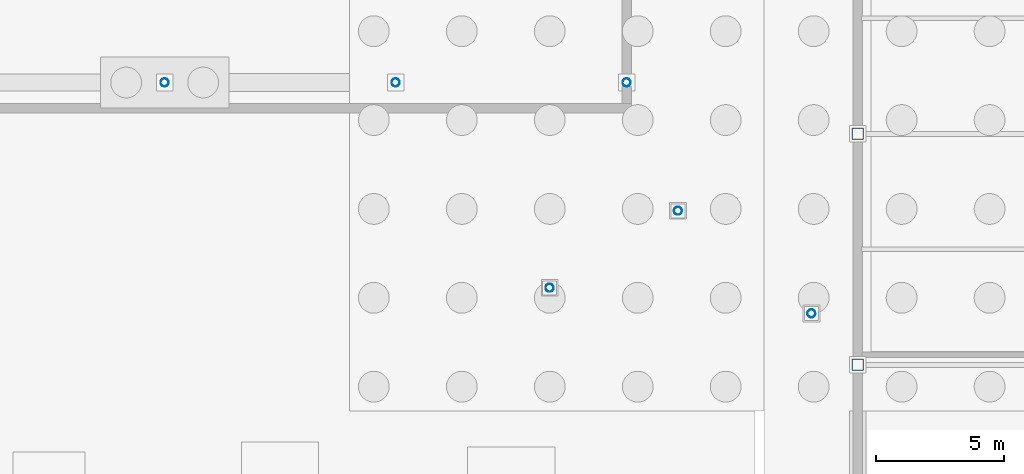
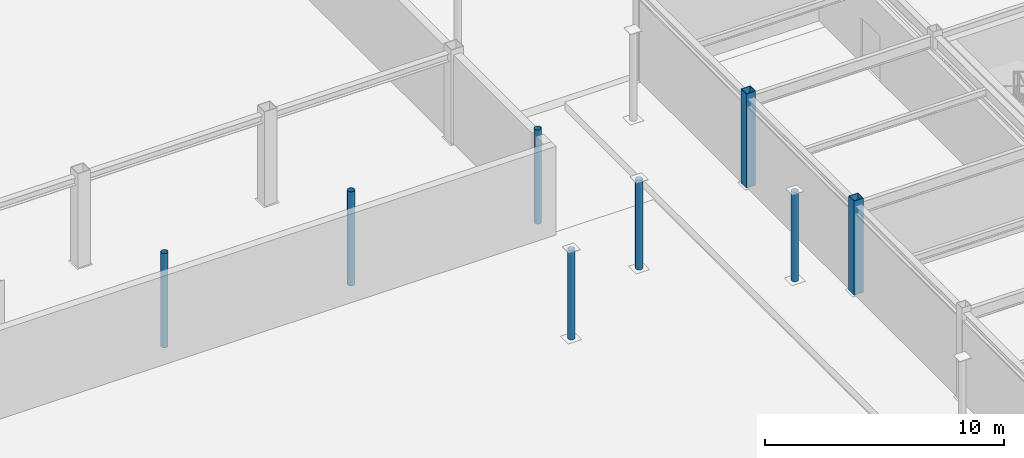
# One storey, part 19 of 74: 8 columns.
"""IFC4 building model written with IfcOpenShell, lengths in metres."""

from ifc_helpers import new_model, si_unit, direction, frame, origin, origin_2d, place, context, subcontext, project, spatial, hollow_rectangle, hollow_circle, extrude, material, material_profile, profile_set, type_object, element, save


model = new_model("IFC4")

# Units and contexts
model_context = context("Model", 3, precision=1e-05, world=origin(), true_north=direction((0.0, 1.0)))
body_context = subcontext(model_context, "Body", "Model", "MODEL_VIEW")
ifc_project = project(units=[si_unit("LENGTHUNIT", "METRE"), si_unit("AREAUNIT", "SQUARE_METRE"), si_unit("VOLUMEUNIT", "CUBIC_METRE"), si_unit("PLANEANGLEUNIT", "RADIAN"), si_unit("MASSUNIT", "GRAM", prefix="KILO")], contexts=[model_context])

# Site, building, storey
site_placement = place(None, origin())
site = spatial("IfcSite", under=ifc_project, at=site_placement, CompositionType="ELEMENT")
building_placement = place(site_placement, origin())
building = spatial("IfcBuilding", under=site, at=building_placement, Name="Suzunagisa Mobility Hub", CompositionType="ELEMENT")
storey_placement = place(building_placement, frame((0.0, 0.0, -4.800048828125)))
storey = spatial("IfcBuildingStorey", under=building, at=storey_placement, Name="B1", CompositionType="ELEMENT", Elevation=-4.800048828125)

# Columns
ifc_material = material(Name="Steel SN490B", Category="steel")
ifc_material_profile_1 = material_profile(ifc_material, hollow_circle(Radius=0.1591796875, WallThickness=0.01025390625, at=origin_2d()), Name="CHS-318.5x10.3")
ifc_profile_set_1 = profile_set([ifc_material_profile_1], Name="Steel SN490B")
column_type_1 = type_object("IfcColumnType", Name="Steel Column CL-09 CHS-318.5x10.3", PredefinedType="COLUMN", material=ifc_profile_set_1)
for number, where, z_axis, x_axis, name in (
    (1, (99.0, 29.0, 0.0), (0.0, 0.0, 1.0), (1.0, 0.0, 0.0), "B1 Column 191"),
    (2, (108.0, 29.0, 0.0), (0.0, 0.0, 1.0), (1.0, 0.0, 0.0), "B1 Column 200"),
):
    element("IfcColumn", number, at=place(storey_placement, frame(where, z_axis=z_axis, x_axis=x_axis)), inside=storey, type_object=column_type_1, Name=name, PredefinedType="COLUMN", context=body_context, shape_type="SweptSolid", body=[
        extrude(hollow_circle(Radius=0.1591796875, WallThickness=0.01025390625, at=origin_2d()), origin(), (0.0, 0.0, 1.0), 4.800048828125),
    ])
column_1_placement = place(storey_placement, frame((114.0, 21.0, 0.0), z_axis=(0.0, 0.0, 1.0), x_axis=(1.0, 0.0, 0.0)))
element("IfcColumn", 3, at=column_1_placement, inside=storey, type_object=column_type_1, Name="B1 Column 210", PredefinedType="COLUMN", context=body_context, shape_type="SweptSolid", body=[
    extrude(hollow_circle(Radius=0.1591796875, WallThickness=0.01025390625, at=origin_2d()), origin(), (0.0, 0.0, 1.0), 4.554931640625),
])
column_2_placement = place(storey_placement, frame((117.0, 29.0, 0.0), z_axis=(0.0, 0.0, 1.0), x_axis=(1.0, 0.0, 0.0)))
element("IfcColumn", 4, at=column_2_placement, inside=storey, type_object=column_type_1, Name="B1 Column 211", PredefinedType="COLUMN", context=body_context, shape_type="SweptSolid", body=[
    extrude(hollow_circle(Radius=0.1591796875, WallThickness=0.01025390625, at=origin_2d()), origin(), (0.0, 0.0, 1.0), 4.800048828125),
])
for number, where, z_axis, x_axis, name in (
    (5, (119.0, 24.0, 0.0), (0.0, 0.0, 1.0), (1.0, 0.0, 0.0), "B1 Column 220"),
    (6, (124.199951171875, 20.0, 0.0), (0.0, 0.0, 1.0), (1.0, 0.0, 0.0), "B1 Column 225"),
):
    element("IfcColumn", number, at=place(storey_placement, frame(where, z_axis=z_axis, x_axis=x_axis)), inside=storey, type_object=column_type_1, Name=name, PredefinedType="COLUMN", context=body_context, shape_type="SweptSolid", body=[
        extrude(hollow_circle(Radius=0.1591796875, WallThickness=0.01025390625, at=origin_2d()), origin(), (0.0, 0.0, 1.0), 4.554931640625),
    ])
ifc_material_profile_2 = material_profile(ifc_material, hollow_rectangle(XDim=0.449951171875, YDim=0.449951171875, WallThickness=0.02197265625, at=origin_2d()), Name="BCR-450x450x22")
ifc_profile_set_2 = profile_set([ifc_material_profile_2], Name="Steel SN490B")
column_type_2 = type_object("IfcColumnType", Name="Steel Column CL-17 BCR-450x450x22", PredefinedType="COLUMN", material=ifc_profile_set_2)
for number, where, z_axis, x_axis, name in (
    (7, (126.0, 18.0, 0.0), (0.0, 0.0, 1.0), (1.0, 0.0, 0.0), "B1 Column 230"),
    (8, (126.0, 27.0, 0.0), (0.0, 0.0, 1.0), (1.0, 0.0, 0.0), "B1 Column 231"),
):
    element("IfcColumn", number, at=place(storey_placement, frame(where, z_axis=z_axis, x_axis=x_axis)), inside=storey, type_object=column_type_2, Name=name, PredefinedType="COLUMN", context=body_context, shape_type="SweptSolid", body=[
        extrude(hollow_rectangle(XDim=0.449951171875, YDim=0.449951171875, WallThickness=0.02197265625, at=origin_2d()), origin(), (0.0, 0.0, 1.0), 4.800048828125),
    ])

save(model, "model.ifc")
